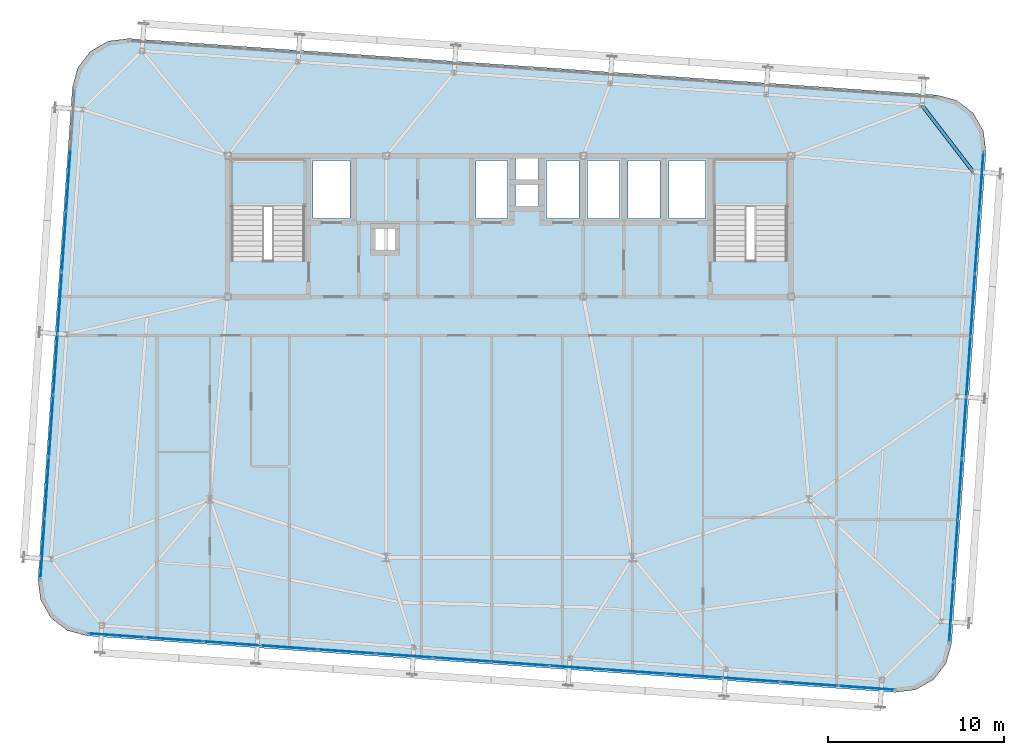
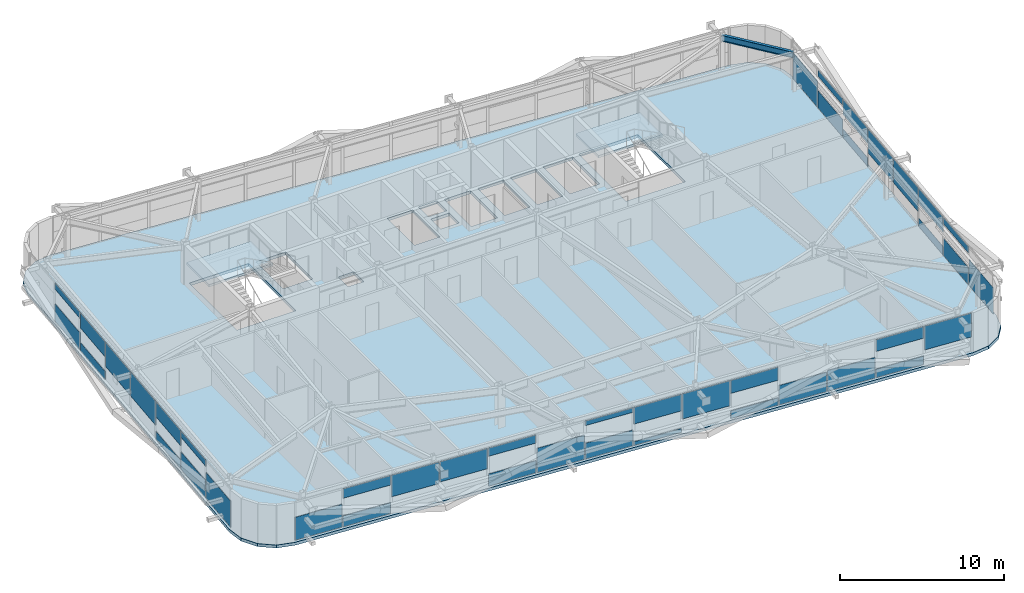
# One storey, part 31 of 47: 43 plates, 3 slabs, 1 beam, 5 elements without a shape of their own.
"""IFC4 building model written with IfcOpenShell, lengths in metres."""

from ifc_helpers import new_model, si_unit, direction, frame, origin, origin_2d, place, context, subcontext, project, spatial, polyline, rectangle, i_section, outline, extrude, source, transform, mapped, material, layer, layer_set, material_profile, profile_set, type_object, element, aggregate, save


model = new_model("IFC4")

# Units and contexts
model_context = context("Model", 3, precision=1e-05, world=origin(), true_north=direction((0.0, 1.0)))
body_context = subcontext(model_context, "Body", "Model", "MODEL_VIEW")
ifc_project = project(units=[si_unit("LENGTHUNIT", "METRE"), si_unit("AREAUNIT", "SQUARE_METRE"), si_unit("VOLUMEUNIT", "CUBIC_METRE"), si_unit("PLANEANGLEUNIT", "RADIAN"), si_unit("MASSUNIT", "GRAM", prefix="KILO")], contexts=[model_context])

# Site, building, storey
site_placement = place(None, origin())
site = spatial("IfcSite", under=ifc_project, at=site_placement, CompositionType="ELEMENT")
building_placement = place(site_placement, origin())
building = spatial("IfcBuilding", under=site, at=building_placement, Name="Taldren Reach Tower", CompositionType="ELEMENT")
storey_placement = place(building_placement, frame((0.0, 0.0, 142.449951171875)))
storey = spatial("IfcBuildingStorey", under=building, at=storey_placement, Name="L43", CompositionType="ELEMENT", Elevation=142.449951171875)

# Beam
ifc_material_1 = material(Name="Steel Gr 350 (350PLUS)", Category="steel")
ifc_material_profile = material_profile(ifc_material_1, i_section(OverallWidth=0.18994140625, OverallDepth=0.4541015625, WebThickness=0.008544921875, FlangeThickness=0.0126953125, at=origin_2d()), Name="460UB67.1")
ifc_profile_set = profile_set([ifc_material_profile], Name="Steel Gr 350 (350PLUS)")
beam_type = type_object("IfcBeamType", Name="SP-UB460B", PredefinedType="SPANDREL", material=ifc_profile_set)
shared_shape_1 = source(origin(), body_context, "Body", "SweptSolid", [
    extrude(i_section(OverallWidth=0.18994140625, OverallDepth=0.4541015625, WebThickness=0.008544921875, FlangeThickness=0.0126953125, at=origin_2d()), origin(), (0.0, 0.0, 1.0), 4.745849609375),
])
beam_placement = place(storey_placement, frame((61.3310546875, 31.1005859375, 2.703125), z_axis=(-0.609904656723, 0.792474800677, 0.0), x_axis=(-0.792474800677, -0.609904656723, 0.0)))
element("IfcBeam", 1, at=beam_placement, inside=storey, type_object=beam_type, Name="Perimeter spandrel B3 E3-N6 L43", PredefinedType="SPANDREL", context=body_context, shape_type="MappedRepresentation", body=[
    mapped(shared_shape_1, transform((0.0, 0.0, 0.0), scale=1.0)),
])

# Slab
ifc_material_2 = material(Name="Concrete N40 (40 MPa)", Category="concrete")
ifc_layer_1 = layer(ifc_material_2, 0.219970703125)
ifc_layer_set_1 = layer_set([ifc_layer_1], Name="Concrete N40 (40 MPa)")
slab_type_1 = type_object("IfcSlabType", Name="SL-FLR-220", PredefinedType="FLOOR", material=ifc_layer_set_1)
slab_1_placement = place(storey_placement, frame((0.0, 0.0, -0.219970703125)))
element("IfcSlab", 2, at=slab_1_placement, inside=storey, type_object=slab_type_1, Name="Suspended floor slab L43", PredefinedType="FLOOR", context=body_context, shape_type="SweptSolid", body=[
    extrude(outline(polyline([(56.908203125, 1.537109375), (58.0693359375, 1.684814453125), (59.08544921875, 2.265625), (59.80224609375, 3.191162109375), (60.110107421875, 4.320556640625), (62.063232421875, 32.252197265625), (61.91552734375, 33.413330078125), (61.334716796875, 34.4296875), (60.4091796875, 35.146240234375), (59.27978515625, 35.4541015625), (13.391845703125, 38.6630859375), (12.230712890625, 38.515380859375), (11.21435546875, 37.934326171875), (10.497802734375, 37.0087890625), (10.18994140625, 35.879638671875), (8.23681640625, 7.94775390625), (8.384521484375, 6.78662109375), (8.96533203125, 5.770263671875), (9.890869140625, 5.0537109375), (11.020263671875, 4.745849609375), (56.908203125, 1.537109375)]), holes=[polyline([(19.219970703125, 26.050048828125), (23.3798828125, 26.050048828125), (23.3798828125, 31.820068359375), (19.219970703125, 31.820068359375), (19.219970703125, 26.050048828125)]), polyline([(46.6201171875, 26.050048828125), (50.780029296875, 26.050048828125), (50.780029296875, 31.820068359375), (46.6201171875, 31.820068359375), (46.6201171875, 26.050048828125)]), polyline([(23.85009765625, 28.449951171875), (25.949951171875, 28.449951171875), (25.949951171875, 31.75), (23.85009765625, 31.75), (23.85009765625, 28.449951171875)]), polyline([(44.050048828125, 28.449951171875), (46.14990234375, 28.449951171875), (46.14990234375, 31.75), (44.050048828125, 31.75), (44.050048828125, 28.449951171875)]), polyline([(33.10009765625, 28.449951171875), (34.89990234375, 28.449951171875), (34.89990234375, 31.75), (33.10009765625, 31.75), (33.10009765625, 28.449951171875)]), polyline([(37.10009765625, 28.449951171875), (38.949951171875, 28.449951171875), (38.949951171875, 31.75), (37.10009765625, 31.75), (37.10009765625, 28.449951171875)]), polyline([(39.449951171875, 28.449951171875), (41.25, 28.449951171875), (41.25, 31.75), (39.449951171875, 31.75), (39.449951171875, 28.449951171875)]), polyline([(41.75, 28.449951171875), (43.550048828125, 28.449951171875), (43.550048828125, 31.75), (41.75, 31.75), (41.75, 28.449951171875)]), polyline([(35.35009765625, 30.64990234375), (36.64990234375, 30.64990234375), (36.64990234375, 31.85009765625), (35.35009765625, 31.85009765625), (35.35009765625, 30.64990234375)]), polyline([(35.35009765625, 29.14990234375), (36.64990234375, 29.14990234375), (36.64990234375, 30.35009765625), (35.35009765625, 30.35009765625), (35.35009765625, 29.14990234375)]), polyline([(27.39990234375, 26.64990234375), (28.5, 26.64990234375), (28.5, 27.85009765625), (27.39990234375, 27.85009765625), (27.39990234375, 26.64990234375)])]), origin(), (0.0, 0.0, 1.0), 0.219970703125),
])

# Stair, slab
ifc_material_3 = material(Name="Concrete S50 (50 MPa)", Category="concrete")
stair_type = type_object("IfcStairType", Name="ST-HT-315", PredefinedType="HALF_TURN_STAIR", material=ifc_material_3)
stair_1_placement = place(storey_placement, origin())
stair_1 = element("IfcStair", 3, at=stair_1_placement, inside=storey, type_object=stair_type, Name="Fire-isolated exit stair ST1 L43", PredefinedType="HALF_TURN_STAIR")
ifc_layer_2 = layer(ifc_material_3, 0.179931640625)
ifc_layer_set_2 = layer_set([ifc_layer_2], Name="Concrete S50 (50 MPa)")
slab_type_2 = type_object("IfcSlabType", Name="SL-LAND-180", PredefinedType="LANDING", material=ifc_layer_set_2)
slab_2_placement = place(storey_placement, frame((0.0, 0.0, 1.39501953125)))
slab_2 = element("IfcSlab", 4, at=slab_2_placement, type_object=slab_type_2, Name="ST1 landing 1", PredefinedType="LANDING", context=body_context, shape_type="SweptSolid", body=[
    extrude(outline(polyline([(19.0400390625, 29.135009765625), (23.56005859375, 29.135009765625), (23.56005859375, 31.8701171875), (19.0400390625, 31.8701171875), (19.0400390625, 29.135009765625)])), origin(), (0.0, 0.0, 1.0), 0.179931640625),
])
aggregate(stair_1, [slab_2])

stair_2_placement = place(storey_placement, origin())
stair_2 = element("IfcStair", 5, at=stair_2_placement, inside=storey, type_object=stair_type, Name="Fire-isolated exit stair ST2 L43", PredefinedType="HALF_TURN_STAIR")
slab_3_placement = place(storey_placement, frame((0.0, 0.0, 1.39501953125)))
slab_3 = element("IfcSlab", 6, at=slab_3_placement, type_object=slab_type_2, Name="ST2 landing 1", PredefinedType="LANDING", context=body_context, shape_type="SweptSolid", body=[
    extrude(outline(polyline([(46.43994140625, 29.135009765625), (50.9599609375, 29.135009765625), (50.9599609375, 31.8701171875), (46.43994140625, 31.8701171875), (46.43994140625, 29.135009765625)])), origin(), (0.0, 0.0, 1.0), 0.179931640625),
])
aggregate(stair_2, [slab_3])

# Curtain wall, plates
ifc_material_4 = material(Name="Aluminium and Low-E Glass Unitised System", Category="aluminium")
ifc_layer_3 = layer(ifc_material_4, 0.159912109375)
ifc_layer_set_3 = layer_set([ifc_layer_3], Name="Aluminium and Low-E Glass Unitised System")
curtain_wall_type = type_object("IfcCurtainWallType", Name="CW-SYS-4", PredefinedType="NOTDEFINED", material=ifc_layer_set_3)
curtain_wall_1_placement = place(storey_placement, origin())
curtain_wall_1 = element("IfcCurtainWall", 7, at=curtain_wall_1_placement, inside=storey, type_object=curtain_wall_type, Name="Unitised curtain wall CW-L43-S", PredefinedType="NOTDEFINED")
ifc_material_5 = material(Name="Solar-Control Double Glazed IGU", Category="glass")
ifc_layer_4 = layer(ifc_material_5, 0.031982421875)
ifc_layer_set_4 = layer_set([ifc_layer_4], Name="Solar-Control Double Glazed IGU")
plate_type = type_object("IfcPlateType", Name="CW-PNL-IGU32", PredefinedType="CURTAIN_PANEL", material=ifc_layer_set_4)
shared_shape_2 = source(origin(), body_context, "Body", "SweptSolid", [
    extrude(rectangle(XDim=3.1806640625, YDim=0.031982421875, at=origin_2d()), origin(), (0.0, 0.0, 1.0), 1.766845703125),
])
plate_1_placement = place(storey_placement, frame((55.261474609375, 1.79248046875, 1.1083984375), z_axis=(0.0, 0.0, 1.0), x_axis=(0.99756404731, -0.06975651593, 0.0)))
plate_1 = element("IfcPlate", 8, at=plate_1_placement, type_object=plate_type, Name="CW-4 panel 14.1 part 1", PredefinedType="CURTAIN_PANEL", context=body_context, shape_type="MappedRepresentation", body=[
    mapped(shared_shape_2, transform((0.0, 0.0, 0.0), scale=1.0)),
])
shared_shape_3 = source(origin(), body_context, "Body", "SweptSolid", [
    extrude(rectangle(XDim=3.2158203125, YDim=0.031982421875, at=origin_2d()), origin(), (0.0, 0.0, 1.0), 0.63720703125),
])
plate_2_placement = place(storey_placement, frame((52.001220703125, 2.0205078125, 0.05517578125), z_axis=(0.0, 0.0, 1.0), x_axis=(0.99756404731, -0.06975651593, 0.0)))
plate_2 = element("IfcPlate", 9, at=plate_2_placement, type_object=plate_type, Name="CW-4 panel 13.1 part 1", PredefinedType="CURTAIN_PANEL", context=body_context, shape_type="MappedRepresentation", body=[
    mapped(shared_shape_3, transform((0.0, 0.0, 0.0), scale=1.0)),
])
shared_shape_4 = source(origin(), body_context, "Body", "SweptSolid", [
    extrude(rectangle(XDim=3.2158203125, YDim=0.031982421875, at=origin_2d()), origin(), (0.0, 0.0, 1.0), 0.86767578125),
])
plate_3_placement = place(storey_placement, frame((52.001220703125, 2.0205078125, 2.00732421875), z_axis=(0.0, 0.0, 1.0), x_axis=(0.99756404731, -0.06975651593, 0.0)))
plate_3 = element("IfcPlate", 10, at=plate_3_placement, type_object=plate_type, Name="CW-4 panel 13.1 part 2", PredefinedType="CURTAIN_PANEL", context=body_context, shape_type="MappedRepresentation", body=[
    mapped(shared_shape_4, transform((0.0, 0.0, 0.0), scale=1.0)),
])
shared_shape_5 = source(origin(), body_context, "Body", "SweptSolid", [
    extrude(rectangle(XDim=3.2158203125, YDim=0.031982421875, at=origin_2d()), origin(), (0.0, 0.0, 1.0), 1.536376953125),
])
plate_4_placement = place(storey_placement, frame((48.7236328125, 2.249755859375, 0.05517578125), z_axis=(0.0, 0.0, 1.0), x_axis=(0.99756404731, -0.06975651593, 0.0)))
plate_4 = element("IfcPlate", 11, at=plate_4_placement, type_object=plate_type, Name="CW-4 panel 12.1 part 1", PredefinedType="CURTAIN_PANEL", context=body_context, shape_type="MappedRepresentation", body=[
    mapped(shared_shape_5, transform((0.0, 0.0, 0.0), scale=1.0)),
])
shared_shape_6 = source(origin(), body_context, "Body", "SweptSolid", [
    extrude(rectangle(XDim=3.2158203125, YDim=0.031982421875, at=origin_2d()), origin(), (0.0, 0.0, 1.0), 1.439453125),
])
plate_5_placement = place(storey_placement, frame((45.44580078125, 2.478759765625, 0.054931640625), z_axis=(0.0, 0.0, 1.0), x_axis=(0.99756404731, -0.06975651593, 0.0)))
plate_5 = element("IfcPlate", 12, at=plate_5_placement, type_object=plate_type, Name="CW-4 panel 11.1 part 1", PredefinedType="CURTAIN_PANEL", context=body_context, shape_type="MappedRepresentation", body=[
    mapped(shared_shape_6, transform((0.0, 0.0, 0.0), scale=1.0)),
])
shared_shape_7 = source(origin(), body_context, "Body", "SweptSolid", [
    extrude(rectangle(XDim=3.2158203125, YDim=0.031982421875, at=origin_2d()), origin(), (0.0, 0.0, 1.0), 0.540283203125),
])
plate_6_placement = place(storey_placement, frame((42.168212890625, 2.7080078125, 0.05517578125), z_axis=(0.0, 0.0, 1.0), x_axis=(0.99756404731, -0.06975651593, 0.0)))
plate_6 = element("IfcPlate", 13, at=plate_6_placement, type_object=plate_type, Name="CW-4 panel 10.1 part 1", PredefinedType="CURTAIN_PANEL", context=body_context, shape_type="MappedRepresentation", body=[
    mapped(shared_shape_7, transform((0.0, 0.0, 0.0), scale=1.0)),
])
shared_shape_8 = source(origin(), body_context, "Body", "SweptSolid", [
    extrude(rectangle(XDim=3.2158203125, YDim=0.031982421875, at=origin_2d()), origin(), (0.0, 0.0, 1.0), 0.964599609375),
])
plate_7_placement = place(storey_placement, frame((42.168212890625, 2.7080078125, 1.91064453125), z_axis=(0.0, 0.0, 1.0), x_axis=(0.99756404731, -0.06975651593, 0.0)))
plate_7 = element("IfcPlate", 14, at=plate_7_placement, type_object=plate_type, Name="CW-4 panel 10.1 part 2", PredefinedType="CURTAIN_PANEL", context=body_context, shape_type="MappedRepresentation", body=[
    mapped(shared_shape_8, transform((0.0, 0.0, 0.0), scale=1.0)),
])
shared_shape_9 = source(origin(), body_context, "Body", "SweptSolid", [
    extrude(rectangle(XDim=3.2158203125, YDim=0.031982421875, at=origin_2d()), origin(), (0.0, 0.0, 1.0), 1.86376953125),
])
plate_8_placement = place(storey_placement, frame((38.890380859375, 2.937255859375, 1.01123046875), z_axis=(0.0, 0.0, 1.0), x_axis=(0.99756404731, -0.06975651593, 0.0)))
plate_8 = element("IfcPlate", 15, at=plate_8_placement, type_object=plate_type, Name="CW-4 panel 9.1 part 1", PredefinedType="CURTAIN_PANEL", context=body_context, shape_type="MappedRepresentation", body=[
    mapped(shared_shape_9, transform((0.0, 0.0, 0.0), scale=1.0)),
])
shared_shape_10 = source(origin(), body_context, "Body", "SweptSolid", [
    extrude(rectangle(XDim=3.2158203125, YDim=0.031982421875, at=origin_2d()), origin(), (0.0, 0.0, 1.0), 0.27294921875),
])
plate_9_placement = place(storey_placement, frame((35.61279296875, 3.16650390625, 0.054931640625), z_axis=(0.0, 0.0, 1.0), x_axis=(0.99756404731, -0.06975651593, 0.0)))
plate_9 = element("IfcPlate", 16, at=plate_9_placement, type_object=plate_type, Name="CW-4 panel 8.1 part 1", PredefinedType="CURTAIN_PANEL", context=body_context, shape_type="MappedRepresentation", body=[
    mapped(shared_shape_10, transform((0.0, 0.0, 0.0), scale=1.0)),
])
shared_shape_11 = source(origin(), body_context, "Body", "SweptSolid", [
    extrude(rectangle(XDim=3.2158203125, YDim=0.031982421875, at=origin_2d()), origin(), (0.0, 0.0, 1.0), 1.23193359375),
])
plate_10_placement = place(storey_placement, frame((35.61279296875, 3.16650390625, 1.64306640625), z_axis=(0.0, 0.0, 1.0), x_axis=(0.99756404731, -0.06975651593, 0.0)))
plate_10 = element("IfcPlate", 17, at=plate_10_placement, type_object=plate_type, Name="CW-4 panel 8.1 part 2", PredefinedType="CURTAIN_PANEL", context=body_context, shape_type="MappedRepresentation", body=[
    mapped(shared_shape_11, transform((0.0, 0.0, 0.0), scale=1.0)),
])
shared_shape_12 = source(origin(), body_context, "Body", "SweptSolid", [
    extrude(rectangle(XDim=3.2158203125, YDim=0.031982421875, at=origin_2d()), origin(), (0.0, 0.0, 1.0), 1.172119140625),
])
plate_11_placement = place(storey_placement, frame((32.3349609375, 3.395751953125, 0.05517578125), z_axis=(0.0, 0.0, 1.0), x_axis=(0.99756404731, -0.06975651593, 0.0)))
plate_11 = element("IfcPlate", 18, at=plate_11_placement, type_object=plate_type, Name="CW-4 panel 7.1 part 1", PredefinedType="CURTAIN_PANEL", context=body_context, shape_type="MappedRepresentation", body=[
    mapped(shared_shape_12, transform((0.0, 0.0, 0.0), scale=1.0)),
])
shared_shape_13 = source(origin(), body_context, "Body", "SweptSolid", [
    extrude(rectangle(XDim=3.2158203125, YDim=0.031982421875, at=origin_2d()), origin(), (0.0, 0.0, 1.0), 0.3330078125),
])
plate_12_placement = place(storey_placement, frame((32.3349609375, 3.395751953125, 2.5419921875), z_axis=(0.0, 0.0, 1.0), x_axis=(0.99756404731, -0.06975651593, 0.0)))
plate_12 = element("IfcPlate", 19, at=plate_12_placement, type_object=plate_type, Name="CW-4 panel 7.1 part 2", PredefinedType="CURTAIN_PANEL", context=body_context, shape_type="MappedRepresentation", body=[
    mapped(shared_shape_13, transform((0.0, 0.0, 0.0), scale=1.0)),
])
shared_shape_14 = source(origin(), body_context, "Body", "SweptSolid", [
    extrude(rectangle(XDim=3.2158203125, YDim=0.031982421875, at=origin_2d()), origin(), (0.0, 0.0, 1.0), 1.8037109375),
])
plate_13_placement = place(storey_placement, frame((29.057373046875, 3.624755859375, 0.05517578125), z_axis=(0.0, 0.0, 1.0), x_axis=(0.99756404731, -0.06975651593, 0.0)))
plate_13 = element("IfcPlate", 20, at=plate_13_placement, type_object=plate_type, Name="CW-4 panel 6.1 part 1", PredefinedType="CURTAIN_PANEL", context=body_context, shape_type="MappedRepresentation", body=[
    mapped(shared_shape_14, transform((0.0, 0.0, 0.0), scale=1.0)),
])
shared_shape_15 = source(origin(), body_context, "Body", "SweptSolid", [
    extrude(rectangle(XDim=3.2158203125, YDim=0.031982421875, at=origin_2d()), origin(), (0.0, 0.0, 1.0), 0.904541015625),
])
plate_14_placement = place(storey_placement, frame((25.779541015625, 3.85400390625, 0.05517578125), z_axis=(0.0, 0.0, 1.0), x_axis=(0.99756404731, -0.06975651593, 0.0)))
plate_14 = element("IfcPlate", 21, at=plate_14_placement, type_object=plate_type, Name="CW-4 panel 5.1 part 1", PredefinedType="CURTAIN_PANEL", context=body_context, shape_type="MappedRepresentation", body=[
    mapped(shared_shape_15, transform((0.0, 0.0, 0.0), scale=1.0)),
])
shared_shape_16 = source(origin(), body_context, "Body", "SweptSolid", [
    extrude(rectangle(XDim=3.2158203125, YDim=0.031982421875, at=origin_2d()), origin(), (0.0, 0.0, 1.0), 0.600341796875),
])
plate_15_placement = place(storey_placement, frame((25.779541015625, 3.85400390625, 2.27490234375), z_axis=(0.0, 0.0, 1.0), x_axis=(0.99756404731, -0.06975651593, 0.0)))
plate_15 = element("IfcPlate", 22, at=plate_15_placement, type_object=plate_type, Name="CW-4 panel 5.1 part 2", PredefinedType="CURTAIN_PANEL", context=body_context, shape_type="MappedRepresentation", body=[
    mapped(shared_shape_16, transform((0.0, 0.0, 0.0), scale=1.0)),
])
shared_shape_17 = source(origin(), body_context, "Body", "SweptSolid", [
    extrude(rectangle(XDim=3.2158203125, YDim=0.031982421875, at=origin_2d()), origin(), (0.0, 0.0, 1.0), 1.49951171875),
])
plate_16_placement = place(storey_placement, frame((22.501953125, 4.083251953125, 1.37548828125), z_axis=(0.0, 0.0, 1.0), x_axis=(0.99756404731, -0.06975651593, 0.0)))
plate_16 = element("IfcPlate", 23, at=plate_16_placement, type_object=plate_type, Name="CW-4 panel 4.1 part 1", PredefinedType="CURTAIN_PANEL", context=body_context, shape_type="MappedRepresentation", body=[
    mapped(shared_shape_17, transform((0.0, 0.0, 0.0), scale=1.0)),
])
shared_shape_18 = source(origin(), body_context, "Body", "SweptSolid", [
    extrude(rectangle(XDim=3.2158203125, YDim=0.031982421875, at=origin_2d()), origin(), (0.0, 0.0, 1.0), 1.596435546875),
])
plate_17_placement = place(storey_placement, frame((19.22412109375, 4.3125, 1.27880859375), z_axis=(0.0, 0.0, 1.0), x_axis=(0.99756404731, -0.06975651593, 0.0)))
plate_17 = element("IfcPlate", 24, at=plate_17_placement, type_object=plate_type, Name="CW-4 panel 3.1 part 1", PredefinedType="CURTAIN_PANEL", context=body_context, shape_type="MappedRepresentation", body=[
    mapped(shared_shape_18, transform((0.0, 0.0, 0.0), scale=1.0)),
])
shared_shape_19 = source(origin(), body_context, "Body", "SweptSolid", [
    extrude(rectangle(XDim=3.2158203125, YDim=0.031982421875, at=origin_2d()), origin(), (0.0, 0.0, 1.0), 0.8076171875),
])
plate_18_placement = place(storey_placement, frame((15.946533203125, 4.541748046875, 0.05517578125), z_axis=(0.0, 0.0, 1.0), x_axis=(0.99756404731, -0.06975651593, 0.0)))
plate_18 = element("IfcPlate", 25, at=plate_18_placement, type_object=plate_type, Name="CW-4 panel 2.1 part 1", PredefinedType="CURTAIN_PANEL", context=body_context, shape_type="MappedRepresentation", body=[
    mapped(shared_shape_19, transform((0.0, 0.0, 0.0), scale=1.0)),
])
shared_shape_20 = source(origin(), body_context, "Body", "SweptSolid", [
    extrude(rectangle(XDim=3.2158203125, YDim=0.031982421875, at=origin_2d()), origin(), (0.0, 0.0, 1.0), 0.697265625),
])
plate_19_placement = place(storey_placement, frame((15.946533203125, 4.541748046875, 2.177734375), z_axis=(0.0, 0.0, 1.0), x_axis=(0.99756404731, -0.06975651593, 0.0)))
plate_19 = element("IfcPlate", 26, at=plate_19_placement, type_object=plate_type, Name="CW-4 panel 2.1 part 2", PredefinedType="CURTAIN_PANEL", context=body_context, shape_type="MappedRepresentation", body=[
    mapped(shared_shape_20, transform((0.0, 0.0, 0.0), scale=1.0)),
])
shared_shape_21 = source(origin(), body_context, "Body", "SweptSolid", [
    extrude(rectangle(XDim=3.1806640625, YDim=0.031982421875, at=origin_2d()), origin(), (0.0, 0.0, 1.0), 1.706787109375),
])
plate_20_placement = place(storey_placement, frame((12.686279296875, 4.76953125, 0.05517578125), z_axis=(0.0, 0.0, 1.0), x_axis=(0.99756404731, -0.06975651593, 0.0)))
plate_20 = element("IfcPlate", 27, at=plate_20_placement, type_object=plate_type, Name="CW-4 panel 1.1 part 1", PredefinedType="CURTAIN_PANEL", context=body_context, shape_type="MappedRepresentation", body=[
    mapped(shared_shape_21, transform((0.0, 0.0, 0.0), scale=1.0)),
])
aggregate(curtain_wall_1, [plate_20, plate_18, plate_19, plate_17, plate_16, plate_14, plate_15, plate_13, plate_11, plate_12, plate_9, plate_10, plate_8, plate_6, plate_7, plate_5, plate_4, plate_2, plate_3, plate_1])

# Curtain wall, plate
curtain_wall_2_placement = place(storey_placement, origin())
curtain_wall_2 = element("IfcCurtainWall", 28, at=curtain_wall_2_placement, inside=storey, type_object=curtain_wall_type, Name="Unitised curtain wall CW-L43-W", PredefinedType="NOTDEFINED")
shared_shape_22 = source(origin(), body_context, "Body", "SweptSolid", [
    extrude(rectangle(XDim=3.39501953125, YDim=0.031982421875, at=origin_2d()), origin(), (0.0, 0.0, 1.0), 1.951416015625),
])
plate_21_placement = place(storey_placement, frame((8.499755859375, 9.701171875, 0.05517578125), z_axis=(0.0, 0.0, 1.0), x_axis=(-0.069756437251, -0.997564052812, 0.0)))
plate_21 = element("IfcPlate", 29, at=plate_21_placement, type_object=plate_type, Name="CW-4 panel 8.1 part 1", PredefinedType="CURTAIN_PANEL", context=body_context, shape_type="MappedRepresentation", body=[
    mapped(shared_shape_22, transform((0.0, 0.0, 0.0), scale=1.0)),
])

# Curtain wall, plates
curtain_wall_3_placement = place(storey_placement, origin())
curtain_wall_3 = element("IfcCurtainWall", 30, at=curtain_wall_3_placement, inside=storey, type_object=curtain_wall_type, Name="Unitised curtain wall CW-L43-E", PredefinedType="NOTDEFINED")
plate_22_placement = place(storey_placement, frame((60.09375, 6.093505859375, 0.05517578125), z_axis=(0.0, 0.0, 1.0), x_axis=(0.069756437251, 0.997564052812, 0.0)))
plate_22 = element("IfcPlate", 31, at=plate_22_placement, type_object=plate_type, Name="CW-4 panel 1.1 part 1", PredefinedType="CURTAIN_PANEL", context=body_context, shape_type="MappedRepresentation", body=[
    mapped(shared_shape_22, transform((0.0, 0.0, 0.0), scale=1.0)),
])
plate_23_placement = place(storey_placement, frame((61.80029296875, 30.498779296875, 0.05517578125), z_axis=(0.0, 0.0, 1.0), x_axis=(0.069756437251, 0.997564052812, 0.0)))
plate_23 = element("IfcPlate", 32, at=plate_23_placement, type_object=plate_type, Name="CW-4 panel 8.1 part 1", PredefinedType="CURTAIN_PANEL", context=body_context, shape_type="MappedRepresentation", body=[
    mapped(shared_shape_22, transform((0.0, 0.0, 0.0), scale=1.0)),
])

# Plate
shared_shape_23 = source(origin(), body_context, "Body", "SweptSolid", [
    extrude(rectangle(XDim=3.429931640625, YDim=0.031982421875, at=origin_2d()), origin(), (0.0, 0.0, 1.0), 1.286865234375),
])
plate_24_placement = place(storey_placement, frame((9.96337890625, 30.632568359375, 0.05517578125), z_axis=(0.0, 0.0, 1.0), x_axis=(-0.069756437251, -0.997564052812, 0.0)))
plate_24 = element("IfcPlate", 33, at=plate_24_placement, type_object=plate_type, Name="CW-4 panel 2.1 part 1", PredefinedType="CURTAIN_PANEL", context=body_context, shape_type="MappedRepresentation", body=[
    mapped(shared_shape_23, transform((0.0, 0.0, 0.0), scale=1.0)),
])

plate_25_placement = place(storey_placement, frame((8.74267578125, 13.17529296875, 0.05517578125), z_axis=(0.0, 0.0, 1.0), x_axis=(-0.069756437251, -0.997564052812, 0.0)))
plate_25 = element("IfcPlate", 34, at=plate_25_placement, type_object=plate_type, Name="CW-4 panel 7.1 part 1", PredefinedType="CURTAIN_PANEL", context=body_context, shape_type="MappedRepresentation", body=[
    mapped(shared_shape_23, transform((0.0, 0.0, 0.0), scale=1.0)),
])

plate_26_placement = place(storey_placement, frame((60.336669921875, 9.5673828125, 0.05517578125), z_axis=(0.0, 0.0, 1.0), x_axis=(0.069756437251, 0.997564052812, 0.0)))
plate_26 = element("IfcPlate", 35, at=plate_26_placement, type_object=plate_type, Name="CW-4 panel 2.1 part 1", PredefinedType="CURTAIN_PANEL", context=body_context, shape_type="MappedRepresentation", body=[
    mapped(shared_shape_23, transform((0.0, 0.0, 0.0), scale=1.0)),
])

plate_27_placement = place(storey_placement, frame((61.557373046875, 27.024658203125, 0.05517578125), z_axis=(0.0, 0.0, 1.0), x_axis=(0.069756437251, 0.997564052812, 0.0)))
plate_27 = element("IfcPlate", 36, at=plate_27_placement, type_object=plate_type, Name="CW-4 panel 7.1 part 1", PredefinedType="CURTAIN_PANEL", context=body_context, shape_type="MappedRepresentation", body=[
    mapped(shared_shape_23, transform((0.0, 0.0, 0.0), scale=1.0)),
])

shared_shape_24 = source(origin(), body_context, "Body", "SweptSolid", [
    extrude(rectangle(XDim=3.429931640625, YDim=0.031982421875, at=origin_2d()), origin(), (0.0, 0.0, 1.0), 0.45458984375),
])
plate_28_placement = place(storey_placement, frame((9.96337890625, 30.632568359375, 2.42041015625), z_axis=(0.0, 0.0, 1.0), x_axis=(-0.069756437251, -0.997564052812, 0.0)))
plate_28 = element("IfcPlate", 37, at=plate_28_placement, type_object=plate_type, Name="CW-4 panel 2.1 part 2", PredefinedType="CURTAIN_PANEL", context=body_context, shape_type="MappedRepresentation", body=[
    mapped(shared_shape_24, transform((0.0, 0.0, 0.0), scale=1.0)),
])

plate_29_placement = place(storey_placement, frame((8.74267578125, 13.17529296875, 2.42041015625), z_axis=(0.0, 0.0, 1.0), x_axis=(-0.069756437251, -0.997564052812, 0.0)))
plate_29 = element("IfcPlate", 38, at=plate_29_placement, type_object=plate_type, Name="CW-4 panel 7.1 part 2", PredefinedType="CURTAIN_PANEL", context=body_context, shape_type="MappedRepresentation", body=[
    mapped(shared_shape_24, transform((0.0, 0.0, 0.0), scale=1.0)),
])

plate_30_placement = place(storey_placement, frame((60.336669921875, 9.5673828125, 2.42041015625), z_axis=(0.0, 0.0, 1.0), x_axis=(0.069756437251, 0.997564052812, 0.0)))
plate_30 = element("IfcPlate", 39, at=plate_30_placement, type_object=plate_type, Name="CW-4 panel 2.1 part 2", PredefinedType="CURTAIN_PANEL", context=body_context, shape_type="MappedRepresentation", body=[
    mapped(shared_shape_24, transform((0.0, 0.0, 0.0), scale=1.0)),
])

plate_31_placement = place(storey_placement, frame((61.557373046875, 27.024658203125, 2.42041015625), z_axis=(0.0, 0.0, 1.0), x_axis=(0.069756437251, 0.997564052812, 0.0)))
plate_31 = element("IfcPlate", 40, at=plate_31_placement, type_object=plate_type, Name="CW-4 panel 7.1 part 2", PredefinedType="CURTAIN_PANEL", context=body_context, shape_type="MappedRepresentation", body=[
    mapped(shared_shape_24, transform((0.0, 0.0, 0.0), scale=1.0)),
])

shared_shape_25 = source(origin(), body_context, "Body", "SweptSolid", [
    extrude(rectangle(XDim=3.429931640625, YDim=0.031982421875, at=origin_2d()), origin(), (0.0, 0.0, 1.0), 0.62255859375),
])
plate_32_placement = place(storey_placement, frame((9.71923828125, 27.14111328125, 0.054931640625), z_axis=(0.0, 0.0, 1.0), x_axis=(-0.069756437251, -0.997564052812, 0.0)))
plate_32 = element("IfcPlate", 41, at=plate_32_placement, type_object=plate_type, Name="CW-4 panel 3.1 part 1", PredefinedType="CURTAIN_PANEL", context=body_context, shape_type="MappedRepresentation", body=[
    mapped(shared_shape_25, transform((0.0, 0.0, 0.0), scale=1.0)),
])

plate_33_placement = place(storey_placement, frame((60.580810546875, 13.058837890625, 0.054931640625), z_axis=(0.0, 0.0, 1.0), x_axis=(0.069756437251, 0.997564052812, 0.0)))
plate_33 = element("IfcPlate", 42, at=plate_33_placement, type_object=plate_type, Name="CW-4 panel 3.1 part 1", PredefinedType="CURTAIN_PANEL", context=body_context, shape_type="MappedRepresentation", body=[
    mapped(shared_shape_25, transform((0.0, 0.0, 0.0), scale=1.0)),
])

shared_shape_26 = source(origin(), body_context, "Body", "SweptSolid", [
    extrude(rectangle(XDim=3.429931640625, YDim=0.031982421875, at=origin_2d()), origin(), (0.0, 0.0, 1.0), 1.119140625),
])
plate_34_placement = place(storey_placement, frame((9.71923828125, 27.14111328125, 1.755859375), z_axis=(0.0, 0.0, 1.0), x_axis=(-0.069756437251, -0.997564052812, 0.0)))
plate_34 = element("IfcPlate", 43, at=plate_34_placement, type_object=plate_type, Name="CW-4 panel 3.1 part 2", PredefinedType="CURTAIN_PANEL", context=body_context, shape_type="MappedRepresentation", body=[
    mapped(shared_shape_26, transform((0.0, 0.0, 0.0), scale=1.0)),
])

plate_35_placement = place(storey_placement, frame((8.98681640625, 16.666748046875, 1.755859375), z_axis=(0.0, 0.0, 1.0), x_axis=(-0.069756437251, -0.997564052812, 0.0)))
plate_35 = element("IfcPlate", 44, at=plate_35_placement, type_object=plate_type, Name="CW-4 panel 6.1 part 2", PredefinedType="CURTAIN_PANEL", context=body_context, shape_type="MappedRepresentation", body=[
    mapped(shared_shape_26, transform((0.0, 0.0, 0.0), scale=1.0)),
])

plate_36_placement = place(storey_placement, frame((60.580810546875, 13.058837890625, 1.755859375), z_axis=(0.0, 0.0, 1.0), x_axis=(0.069756437251, 0.997564052812, 0.0)))
plate_36 = element("IfcPlate", 45, at=plate_36_placement, type_object=plate_type, Name="CW-4 panel 3.1 part 2", PredefinedType="CURTAIN_PANEL", context=body_context, shape_type="MappedRepresentation", body=[
    mapped(shared_shape_26, transform((0.0, 0.0, 0.0), scale=1.0)),
])

plate_37_placement = place(storey_placement, frame((61.313232421875, 23.533203125, 1.755859375), z_axis=(0.0, 0.0, 1.0), x_axis=(0.069756437251, 0.997564052812, 0.0)))
plate_37 = element("IfcPlate", 46, at=plate_37_placement, type_object=plate_type, Name="CW-4 panel 6.1 part 2", PredefinedType="CURTAIN_PANEL", context=body_context, shape_type="MappedRepresentation", body=[
    mapped(shared_shape_26, transform((0.0, 0.0, 0.0), scale=1.0)),
])

shared_shape_27 = source(origin(), body_context, "Body", "SweptSolid", [
    extrude(rectangle(XDim=3.429931640625, YDim=0.031982421875, at=origin_2d()), origin(), (0.0, 0.0, 1.0), 1.783447265625),
])
plate_38_placement = place(storey_placement, frame((9.47509765625, 23.649658203125, 1.091796875), z_axis=(0.0, 0.0, 1.0), x_axis=(-0.069756437251, -0.997564052812, 0.0)))
plate_38 = element("IfcPlate", 47, at=plate_38_placement, type_object=plate_type, Name="CW-4 panel 4.1 part 1", PredefinedType="CURTAIN_PANEL", context=body_context, shape_type="MappedRepresentation", body=[
    mapped(shared_shape_27, transform((0.0, 0.0, 0.0), scale=1.0)),
])

plate_39_placement = place(storey_placement, frame((9.23095703125, 20.158203125, 1.091796875), z_axis=(0.0, 0.0, 1.0), x_axis=(-0.069756437251, -0.997564052812, 0.0)))
plate_39 = element("IfcPlate", 48, at=plate_39_placement, type_object=plate_type, Name="CW-4 panel 5.1 part 1", PredefinedType="CURTAIN_PANEL", context=body_context, shape_type="MappedRepresentation", body=[
    mapped(shared_shape_27, transform((0.0, 0.0, 0.0), scale=1.0)),
])

plate_40_placement = place(storey_placement, frame((60.824951171875, 16.55029296875, 1.091796875), z_axis=(0.0, 0.0, 1.0), x_axis=(0.069756437251, 0.997564052812, 0.0)))
plate_40 = element("IfcPlate", 49, at=plate_40_placement, type_object=plate_type, Name="CW-4 panel 4.1 part 1", PredefinedType="CURTAIN_PANEL", context=body_context, shape_type="MappedRepresentation", body=[
    mapped(shared_shape_27, transform((0.0, 0.0, 0.0), scale=1.0)),
])

plate_41_placement = place(storey_placement, frame((61.069091796875, 20.041748046875, 1.091796875), z_axis=(0.0, 0.0, 1.0), x_axis=(0.069756437251, 0.997564052812, 0.0)))
plate_41 = element("IfcPlate", 50, at=plate_41_placement, type_object=plate_type, Name="CW-4 panel 5.1 part 1", PredefinedType="CURTAIN_PANEL", context=body_context, shape_type="MappedRepresentation", body=[
    mapped(shared_shape_27, transform((0.0, 0.0, 0.0), scale=1.0)),
])

shared_shape_28 = source(origin(), body_context, "Body", "SweptSolid", [
    extrude(rectangle(XDim=3.429931640625, YDim=0.031982421875, at=origin_2d()), origin(), (0.0, 0.0, 1.0), 0.622314453125),
])
plate_42_placement = place(storey_placement, frame((8.98681640625, 16.666748046875, 0.05517578125), z_axis=(0.0, 0.0, 1.0), x_axis=(-0.069756437251, -0.997564052812, 0.0)))
plate_42 = element("IfcPlate", 51, at=plate_42_placement, type_object=plate_type, Name="CW-4 panel 6.1 part 1", PredefinedType="CURTAIN_PANEL", context=body_context, shape_type="MappedRepresentation", body=[
    mapped(shared_shape_28, transform((0.0, 0.0, 0.0), scale=1.0)),
])

aggregate(curtain_wall_2, [plate_24, plate_28, plate_32, plate_34, plate_38, plate_39, plate_42, plate_35, plate_25, plate_29, plate_21])

plate_43_placement = place(storey_placement, frame((61.313232421875, 23.533203125, 0.05517578125), z_axis=(0.0, 0.0, 1.0), x_axis=(0.069756437251, 0.997564052812, 0.0)))
plate_43 = element("IfcPlate", 52, at=plate_43_placement, type_object=plate_type, Name="CW-4 panel 6.1 part 1", PredefinedType="CURTAIN_PANEL", context=body_context, shape_type="MappedRepresentation", body=[
    mapped(shared_shape_28, transform((0.0, 0.0, 0.0), scale=1.0)),
])

aggregate(curtain_wall_3, [plate_22, plate_26, plate_30, plate_33, plate_36, plate_40, plate_41, plate_43, plate_37, plate_27, plate_31, plate_23])

save(model, "model.ifc")
